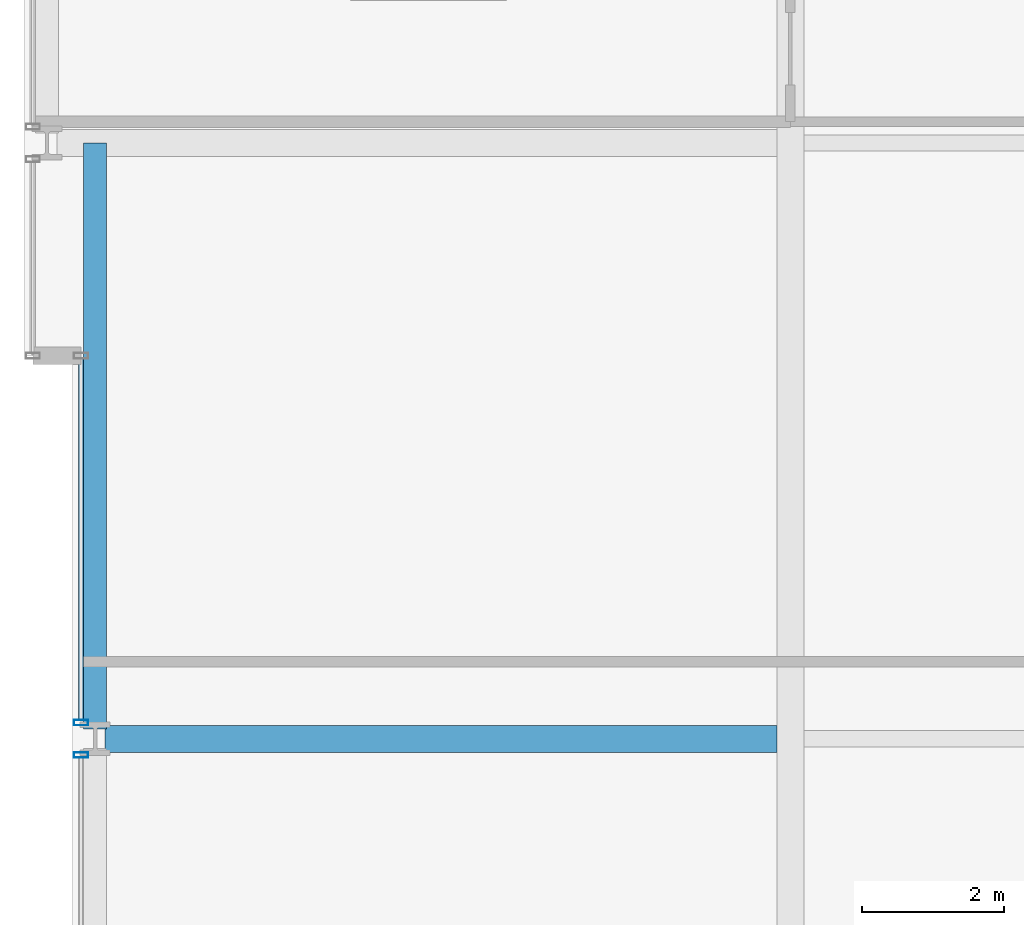
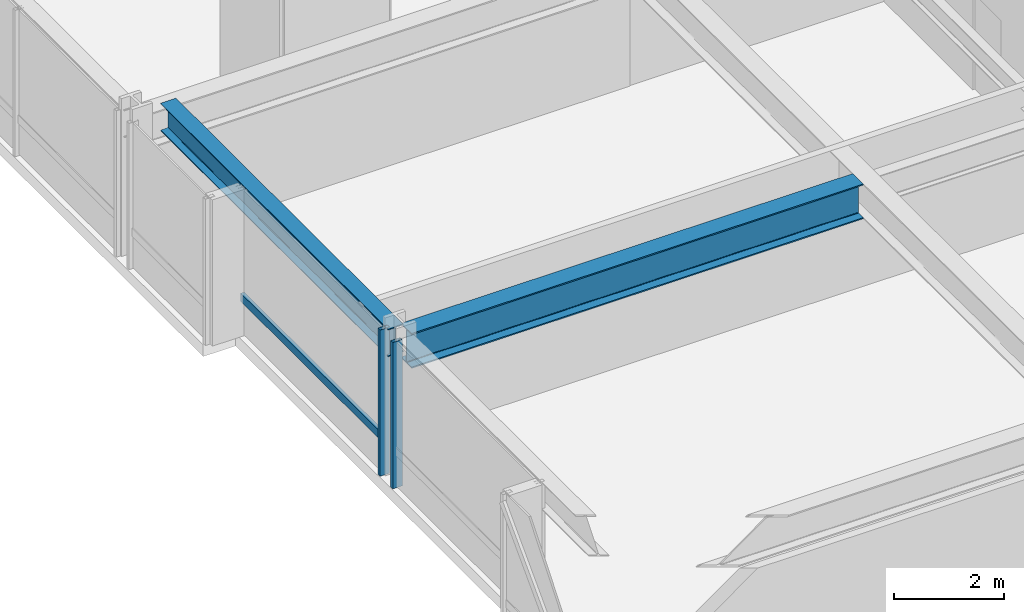
# One storey, part 9 of 38: 3 members, 2 beams, 2 elements without a shape of their own.
"""IFC4 building model written with IfcOpenShell, lengths in metres."""

import ifcopenshell
import ifcopenshell.guid

model = None  # the IFC model being written
_history = None  # IfcOwnerHistory: only IFC2X3 demands one
_inside = {}  # id of a spatial element -> (the spatial element, [elements in it])
_under = {}  # id of a project, library or spatial element -> (it, [spatial elements below it])
_declared = {}  # id of a project -> (the project, [libraries it declares])
_typed = {}  # id of a type object -> (the type object, [elements of that type])
_made_of = {}  # id of a material, layer set ... -> (it, [elements and type objects made of it])


def new_model(schema):
    """Start an empty IFC model of exactly this schema.

    Asked for "IFC4X3", IfcOpenShell would pick the latest addendum, in which some entities
    have other attributes; the version numbers below select the first issue.
    IFC2X3 requires an IfcOwnerHistory on every rooted entity: one is made here for all.
    """
    global model, _history
    if schema == "IFC4X3":
        model = ifcopenshell.file(schema_version=(4, 3, 0, 0))
    else:
        model = ifcopenshell.file(schema=schema)
    _inside.clear()
    _under.clear()
    _declared.clear()
    _typed.clear()
    _made_of.clear()
    _history = None
    if model.schema == "IFC2X3":
        org = make("IfcOrganization", Name="unknown")
        user = make(
            "IfcPersonAndOrganization",
            ThePerson=make("IfcPerson", FamilyName="unknown"),
            TheOrganization=org,
        )
        app = make(
            "IfcApplication",
            ApplicationDeveloper=org,
            Version="unknown",
            ApplicationFullName="unknown",
            ApplicationIdentifier="unknown",
        )
        _history = make(
            "IfcOwnerHistory",
            OwningUser=user,
            OwningApplication=app,
            ChangeAction="ADDED",
            CreationDate=0,
        )
    return model


def make(cls, **values):
    """One entity of the class cls with the attributes given. An attribute that is None is left unset."""
    return model.create_entity(
        cls, **{name: value for name, value in values.items() if value is not None}
    )


def rooted(cls, **values):
    """An entity with a GlobalId (a new one), such as an element, a storey or a relation."""
    return make(cls, GlobalId=ifcopenshell.guid.new(), OwnerHistory=_history, **values)


def si_unit(unit_type, name, prefix=None):
    """IfcSIUnit, for example si_unit("LENGTHUNIT", "METRE", prefix="MILLI")."""
    return make("IfcSIUnit", UnitType=unit_type, Prefix=prefix, Name=name)


def assignment(units):
    """IfcUnitAssignment: the units of a project."""
    return None if units is None else make("IfcUnitAssignment", Units=units)


def point(xyz):
    """IfcCartesianPoint."""
    return None if xyz is None else make("IfcCartesianPoint", Coordinates=xyz)


def direction(xyz):
    """IfcDirection."""
    return None if xyz is None else make("IfcDirection", DirectionRatios=xyz)


def frame(location, z_axis=None, x_axis=None):
    """IfcAxis2Placement3D, a coordinate frame: its origin and axes. An axis left out is left unset."""
    return make(
        "IfcAxis2Placement3D",
        Location=point(location),
        Axis=direction(z_axis),
        RefDirection=direction(x_axis),
    )


def frame_2d(location, x_axis=None):
    """IfcAxis2Placement2D, a coordinate frame in the plane: its origin and x axis."""
    return make(
        "IfcAxis2Placement2D", Location=point(location), RefDirection=direction(x_axis)
    )


def origin():
    """The frame at (0, 0, 0) with its axes left unset."""
    return frame((0.0, 0.0, 0.0))


def origin_2d():
    """The frame at (0, 0) in the plane with its x axis left unset."""
    return frame_2d((0.0, 0.0))


def place(relative_to, where):
    """IfcLocalPlacement: puts the frame where relative to a parent placement (None: the world)."""
    return make(
        "IfcLocalPlacement", PlacementRelTo=relative_to, RelativePlacement=where
    )


def context(
    kind, dimensions, precision=None, world=None, true_north=None, identifier=None
):
    """IfcGeometricRepresentationContext, for example the 3D "Model" context."""
    return make(
        "IfcGeometricRepresentationContext",
        ContextIdentifier=identifier,
        ContextType=kind,
        CoordinateSpaceDimension=dimensions,
        Precision=precision,
        WorldCoordinateSystem=world,
        TrueNorth=true_north,
    )


def subcontext(parent, identifier, kind, view, scale=None):
    """IfcGeometricRepresentationSubContext, for example "Body" below "Model"."""
    return make(
        "IfcGeometricRepresentationSubContext",
        ContextIdentifier=identifier,
        ContextType=kind,
        ParentContext=parent,
        TargetScale=scale,
        TargetView=view,
    )


def project(units=None, contexts=None):
    """IfcProject with its units and contexts."""
    return rooted(
        "IfcProject",
        Name="project",
        RepresentationContexts=contexts,
        UnitsInContext=assignment(units),
    )


def spatial(cls, under=None, at=None, **own):
    """A site, building, storey or space (cls), placed at a placement, below another one or the project."""
    s = rooted(cls, ObjectPlacement=at, **own)
    if under is not None:
        _under.setdefault(under.id(), (under, []))[1].append(s)
    return s


def profile(cls, at=None, kind="AREA", **sizes):
    """A parametric profile (cls). Its sizes go by their IFC names, for example OverallWidth=200.0."""
    return make(cls, ProfileType=kind, Position=at, **sizes)


def hollow_rectangle(**sizes):
    """IfcRectangleHollowProfileDef."""
    return profile("IfcRectangleHollowProfileDef", **sizes)


def i_section(**sizes):
    """IfcIShapeProfileDef."""
    return profile("IfcIShapeProfileDef", **sizes)


def extrude(swept, where, along, depth):
    """IfcExtrudedAreaSolid: the profile swept, set in the frame where, extruded along a direction by depth."""
    return make(
        "IfcExtrudedAreaSolid",
        SweptArea=swept,
        Position=where,
        ExtrudedDirection=direction(along),
        Depth=depth,
    )


def shape(context_of_items, identifier, shape_type, items):
    """IfcShapeRepresentation: the items that make up one representation, for example the "Body"."""
    return make(
        "IfcShapeRepresentation",
        ContextOfItems=context_of_items,
        RepresentationIdentifier=identifier,
        RepresentationType=shape_type,
        Items=items,
    )


def material(Name=None, Category=None):
    """IfcMaterial."""
    return make("IfcMaterial", Name=Name, Category=Category)


def layer(
    of_material, thickness, ventilated=None, Name=None, Category=None, Priority=None
):
    """IfcMaterialLayer: one layer of a wall or slab, of a material (None: an air gap)."""
    return make(
        "IfcMaterialLayer",
        Material=of_material,
        LayerThickness=thickness,
        IsVentilated=ventilated,
        Name=Name,
        Category=Category,
        Priority=Priority,
    )


def layer_set(layers, Name=None):
    """IfcMaterialLayerSet."""
    return make("IfcMaterialLayerSet", MaterialLayers=layers, LayerSetName=Name)


def material_profile(
    of_material, cross_section, Name=None, Category=None, Priority=None
):
    """IfcMaterialProfile: a cross section and its material."""
    return make(
        "IfcMaterialProfile",
        Name=Name,
        Material=of_material,
        Profile=cross_section,
        Priority=Priority,
        Category=Category,
    )


def profile_set(profiles, Name=None, composite=None):
    """IfcMaterialProfileSet."""
    return make(
        "IfcMaterialProfileSet",
        Name=Name,
        MaterialProfiles=profiles,
        CompositeProfile=composite,
    )


def made_of(thing, what):
    """Note that an element or type object is made of a material, layer set ...; save() writes the relation."""
    if what is not None:
        _made_of.setdefault(what.id(), (what, []))[1].append(thing)
    return thing


def type_object(cls, material=None, **own):
    """A type object (cls), such as IfcWallType, which elements share."""
    return made_of(rooted(cls, **own), material)


def element(
    cls,
    number,
    at=None,
    inside=None,
    cuts=None,
    type_object=None,
    material=None,
    context=None,
    identifier="Body",
    shape_type=None,
    held_by="IfcProductDefinitionShape",
    body=None,
    shapes=None,
    **own,
):
    """One element of the class cls, such as IfcWall. Its Tag is "e" and its number.

    at: its placement. inside: the storey or other place that contains it. cuts: it is an
    opening in that element (IfcRelVoidsElement). A single representation is given by context,
    identifier, shape_type and body (its items); several are given by shapes. held_by: the class
    of the entity that holds the representations. save() writes the other relations.
    """
    e = rooted(cls, Tag="e%d" % number, ObjectPlacement=at, **own)
    if body is not None:
        shapes = [shape(context, identifier, shape_type, body)]
    if shapes is not None:
        e.Representation = make(held_by, Representations=shapes)
    if inside is not None:
        _inside.setdefault(inside.id(), (inside, []))[1].append(e)
    if cuts is not None:
        rooted(
            "IfcRelVoidsElement", RelatingBuildingElement=cuts, RelatedOpeningElement=e
        )
    if type_object is not None:
        _typed.setdefault(type_object.id(), (type_object, []))[1].append(e)
    return made_of(e, material)


def aggregate(whole, parts):
    """IfcRelAggregates: a whole, such as a stair, and the parts it consists of."""
    return rooted("IfcRelAggregates", RelatingObject=whole, RelatedObjects=parts)


def save(model, path):
    """Write the relations noted so far, then the file.

    IfcRelAggregates (storeys below a building ...), IfcRelContainedInSpatialStructure (elements
    in a storey), IfcRelDefinesByType, IfcRelAssociatesMaterial and IfcRelDeclares: one each for
    every whole, place, type object, material and project.
    """
    for whole, parts in _under.values():
        aggregate(whole, parts)
    for where, things in _inside.values():
        rooted(
            "IfcRelContainedInSpatialStructure",
            RelatedElements=things,
            RelatingStructure=where,
        )
    for kind, things in _typed.values():
        rooted("IfcRelDefinesByType", RelatedObjects=things, RelatingType=kind)
    for what, things in _made_of.values():
        rooted("IfcRelAssociatesMaterial", RelatedObjects=things, RelatingMaterial=what)
    for by, libraries in _declared.values():
        rooted("IfcRelDeclares", RelatingContext=by, RelatedDefinitions=libraries)
    model.write(path)


model = new_model("IFC4")

# Units and contexts
model_context = context("Model", 3, precision=1e-05, world=origin(), true_north=direction((0.0, 1.0)))
body_context = subcontext(model_context, "Body", "Model", "MODEL_VIEW")
ifc_project = project(units=[si_unit("LENGTHUNIT", "METRE"), si_unit("AREAUNIT", "SQUARE_METRE"), si_unit("VOLUMEUNIT", "CUBIC_METRE"), si_unit("PLANEANGLEUNIT", "RADIAN"), si_unit("MASSUNIT", "GRAM", prefix="KILO")], contexts=[model_context])

# Site, building, storey
site_placement = place(None, origin())
site = spatial("IfcSite", under=ifc_project, at=site_placement, CompositionType="ELEMENT")
building_placement = place(site_placement, origin())
building = spatial("IfcBuilding", under=site, at=building_placement, Name="Drelvath Grand Hotel", CompositionType="ELEMENT")
storey_placement = place(building_placement, frame((0.0, 0.0, 68.199951171875)))
storey = spatial("IfcBuildingStorey", under=building, at=storey_placement, Name="L16", CompositionType="ELEMENT", Elevation=68.199951171875)

# Curtain wall, member
ifc_material_1 = material(Name="Warm Bronze Anodised Aluminium Frame", Category="aluminium")
ifc_layer = layer(ifc_material_1, 0.199951171875)
ifc_layer_set = layer_set([ifc_layer], Name="Warm Bronze Anodised Aluminium Frame")
curtain_wall_type = type_object("IfcCurtainWallType", Name="Stick Curtain Wall CW-02 Warm Bronze Low-Rise", PredefinedType="NOTDEFINED", material=ifc_layer_set)
curtain_wall_1_placement = place(storey_placement, origin())
curtain_wall_1 = element("IfcCurtainWall", 1, at=curtain_wall_1_placement, inside=storey, type_object=curtain_wall_type, Name="L16 CW-02 Curtain Wall CW02-L16-WM2", PredefinedType="NOTDEFINED")
ifc_material_profile_1 = material_profile(ifc_material_1, hollow_rectangle(XDim=0.074951171875, YDim=0.179931640625, WallThickness=0.0048828125, at=origin_2d()), Name="HSS180X75X5")
ifc_profile_set_1 = profile_set([ifc_material_profile_1], Name="Warm Bronze Anodised Aluminium Frame")
member_type_1 = type_object("IfcMemberType", Name="Curtain Wall Horizontal Transom CW-02 HSS180X75X5", PredefinedType="USERDEFINED", material=ifc_profile_set_1)
member_1_placement = place(storey_placement, frame((-26.199951171875, 27.26904296875, 0.81005859375), z_axis=(0.0, 1.0, 0.0), x_axis=(-1.0, 0.0, 0.0)))
member_1 = element("IfcMember", 2, at=member_1_placement, type_object=member_type_1, Name="CW02-L16-WM2 Sill Transom", ObjectType="TRANSOM", PredefinedType="USERDEFINED", context=body_context, shape_type="SweptSolid", body=[
    extrude(hollow_rectangle(XDim=0.074951171875, YDim=0.179931640625, WallThickness=0.0048828125, at=origin_2d()), origin(), (0.0, 0.0, 1.0), 5.091064453125),
])

curtain_wall_2_placement = place(storey_placement, origin())
curtain_wall_2 = element("IfcCurtainWall", 3, at=curtain_wall_2_placement, inside=storey, type_object=curtain_wall_type, Name="L16 CW-02 Curtain Wall CW02-L16-WM1", PredefinedType="NOTDEFINED")
ifc_material_profile_2 = material_profile(ifc_material_1, hollow_rectangle(XDim=0.080078125, YDim=0.199951171875, WallThickness=0.0048828125, at=origin_2d()), Name="HSS200X80X5")
ifc_profile_set_2 = profile_set([ifc_material_profile_2], Name="Warm Bronze Anodised Aluminium Frame")
member_type_2 = type_object("IfcMemberType", Name="Curtain Wall Vertical Mullion CW-02 HSS200X80X5", PredefinedType="MULLION", material=ifc_profile_set_2)
member_2_placement = place(storey_placement, frame((-26.199951171875, 26.77099609375, 0.0), z_axis=(0.0, 0.0, 1.0), x_axis=(0.0, 1.0, 0.0)))
member_2 = element("IfcMember", 4, at=member_2_placement, type_object=member_type_2, Name="CW02-L16-WM1 Mullion 2", PredefinedType="MULLION", context=body_context, shape_type="SweptSolid", body=[
    extrude(hollow_rectangle(XDim=0.080078125, YDim=0.199951171875, WallThickness=0.0048828125, at=origin_2d()), origin(), (0.0, 0.0, 1.0), 3.239990234375),
])
aggregate(curtain_wall_2, [member_2])

# Member
member_3_placement = place(storey_placement, frame((-26.199951171875, 27.22900390625, 0.0), z_axis=(0.0, 0.0, 1.0), x_axis=(0.0, 1.0, 0.0)))
member_3 = element("IfcMember", 5, at=member_3_placement, type_object=member_type_2, Name="CW02-L16-WM2 Mullion 1", PredefinedType="MULLION", context=body_context, shape_type="SweptSolid", body=[
    extrude(hollow_rectangle(XDim=0.080078125, YDim=0.199951171875, WallThickness=0.0048828125, at=origin_2d()), origin(), (0.0, 0.0, 1.0), 3.239990234375),
])

aggregate(curtain_wall_1, [member_3, member_1])

# Beams
ifc_material_2 = material(Name="Steel ASTM A992 Gr 50", Category="steel")
ifc_material_profile_3 = material_profile(ifc_material_2, i_section(OverallWidth=0.323974609375, OverallDepth=0.611083984375, WebThickness=0.0126953125, FlangeThickness=0.01904296875, FilletRadius=0.02197265625, at=origin_2d()), Name="W24X104")
ifc_profile_set_3 = profile_set([ifc_material_profile_3], Name="Steel ASTM A992 Gr 50")
beam_type_1 = type_object("IfcBeamType", Name="Perimeter Spandrel Beam W24X104", PredefinedType="SPANDREL", material=ifc_profile_set_3)
beam_1_placement = place(storey_placement, frame((-26.0, 27.139892578125, 2.9345703125), z_axis=(0.0, 1.0, 0.0), x_axis=(-1.0, 0.0, 0.0)))
element("IfcBeam", 6, at=beam_1_placement, inside=storey, type_object=beam_type_1, Name="L16 Spandrel West Mid N", PredefinedType="SPANDREL", context=body_context, shape_type="SweptSolid", body=[
    extrude(i_section(OverallWidth=0.323974609375, OverallDepth=0.611083984375, WebThickness=0.0126953125, FlangeThickness=0.01904296875, FilletRadius=0.02197265625, at=origin_2d()), origin(), (0.0, 0.0, 1.0), 8.260009765625),
])
ifc_material_profile_4 = material_profile(ifc_material_2, i_section(OverallWidth=0.380615234375, OverallDepth=0.773193359375, WebThickness=0.0166015625, FlangeThickness=0.027099609375, FilletRadius=0.02490234375, at=origin_2d()), Name="W30X173")
ifc_profile_set_4 = profile_set([ifc_material_profile_4], Name="Steel ASTM A992 Gr 50")
beam_type_2 = type_object("IfcBeamType", Name="Primary Floor Girder W30X173", PredefinedType="BEAM", material=ifc_profile_set_4)
beam_2_placement = place(storey_placement, frame((-25.860107421875, 27.0, 2.853515625), z_axis=(1.0, 0.0, 0.0), x_axis=(0.0, 1.0, 0.0)))
element("IfcBeam", 7, at=beam_2_placement, inside=storey, type_object=beam_type_2, Name="L16 West Wing Girder E", PredefinedType="BEAM", context=body_context, shape_type="SweptSolid", body=[
    extrude(i_section(OverallWidth=0.380615234375, OverallDepth=0.773193359375, WebThickness=0.0166015625, FlangeThickness=0.027099609375, FilletRadius=0.02490234375, at=origin_2d()), origin(), (0.0, 0.0, 1.0), 9.4697265625),
])

save(model, "model.ifc")
